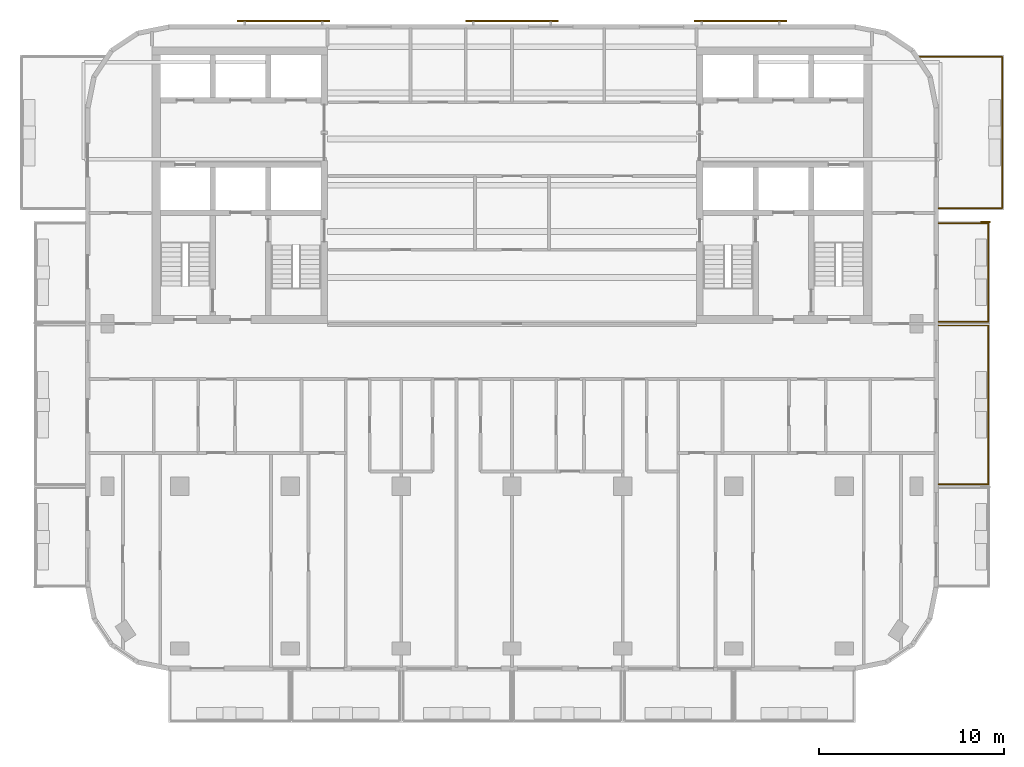
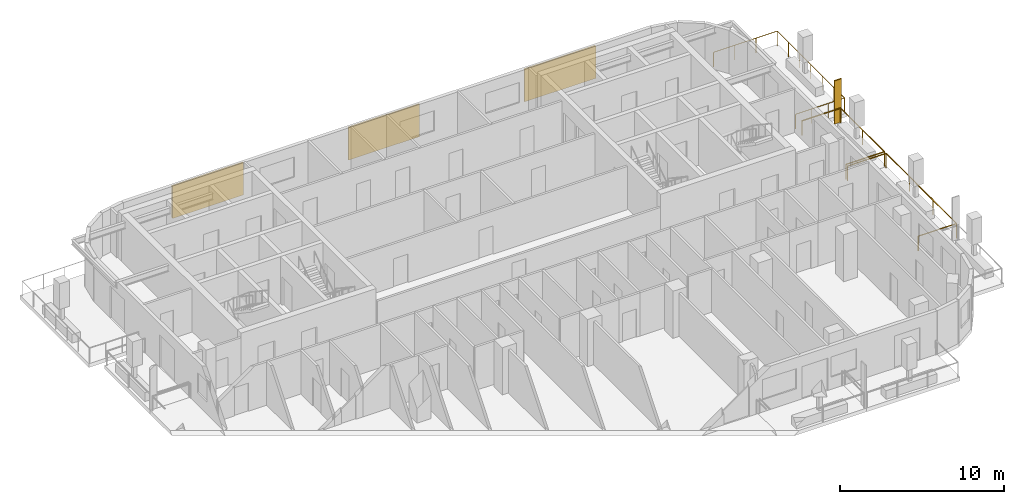
# One storey, part 10 of 11: 4 shading devices, 3 railings.
"""IFC4 building model written with IfcOpenShell, lengths in metres."""

from ifc_helpers import new_model, si_unit, direction, frame, origin, origin_2d, place, context, subcontext, project, spatial, rectangle, circle, extrude, material, layer, layer_set, type_object, element, save


model = new_model("IFC4")

# Units and contexts
model_context = context("Model", 3, precision=1e-05, world=origin(), true_north=direction((0.0, 1.0)))
body_context = subcontext(model_context, "Body", "Model", "MODEL_VIEW")
ifc_project = project(units=[si_unit("LENGTHUNIT", "METRE"), si_unit("AREAUNIT", "SQUARE_METRE"), si_unit("VOLUMEUNIT", "CUBIC_METRE"), si_unit("PLANEANGLEUNIT", "RADIAN"), si_unit("MASSUNIT", "GRAM", prefix="KILO")], contexts=[model_context])

# Site, building, storey
site_placement = place(None, origin())
site = spatial("IfcSite", under=ifc_project, at=site_placement, CompositionType="ELEMENT")
building_placement = place(site_placement, origin())
building = spatial("IfcBuilding", under=site, at=building_placement, Name="Torana Hotel and Residences", CompositionType="ELEMENT")
storey_placement = place(building_placement, frame((0.0, 0.0, 263.10009765625)))
storey = spatial("IfcBuildingStorey", under=building, at=storey_placement, Name="L69", CompositionType="ELEMENT", Elevation=263.10009765625)

# Shading device
ifc_material_1 = material(Name="Black powder coated aluminium", Category="aluminium")
ifc_layer_1 = layer(ifc_material_1, 0.080078125)
ifc_layer_set_1 = layer_set([ifc_layer_1], Name="FN1 VERTICAL FIN 500x80")
shading_device_type_1 = type_object("IfcShadingDeviceType", Name="FN1 VERTICAL FIN 500x80", PredefinedType="USERDEFINED", material=ifc_layer_set_1)
shading_device_placement = place(storey_placement, frame((25.64990234375, -9.489990234375, 0.0), z_axis=(0.0, 0.0, 1.0), x_axis=(0.0, -1.0, 0.0)))
element("IfcShadingDevice", 1, at=shading_device_placement, inside=storey, type_object=shading_device_type_1, Name="Fin 13", ObjectType="FIN", PredefinedType="USERDEFINED", context=body_context, shape_type="SweptSolid", body=[
    extrude(rectangle(XDim=0.080078125, YDim=0.5, at=origin_2d()), origin(), (0.0, 0.0, 1.0), 3.219970703125),
])

# Railings
ifc_material_2 = material(Name="Laminated glass balustrade with black handrail", Category="glass")
railing_type = type_object("IfcRailingType", Name="GR1 BALCONY GUARD 1100 GLASS", PredefinedType="GUARDRAIL", material=ifc_material_2)
railing_1_placement = place(storey_placement, frame((23.10009765625, -15.10009765625, 0.0)))
element("IfcRailing", 2, at=railing_1_placement, inside=storey, type_object=railing_type, Name="Balcony guard 12", PredefinedType="GUARDRAIL", context=body_context, shape_type="SweptSolid", body=[
    extrude(circle(Radius=0.02392578125, at=origin_2d()), frame((0.0, 0.0, 1.076171875), z_axis=(1.0, 0.0, 0.0), x_axis=(0.0, 1.0, 0.0)), (0.0, 0.0, 1.0), 2.699951171875),
    extrude(circle(Radius=0.02392578125, at=origin_2d()), frame((2.699951171875, 0.0, 1.076171875), z_axis=(0.0, -1.0, 0.0), x_axis=(1.0, 0.0, 0.0)), (0.0, 0.0, 1.0), 8.599853515625),
    extrude(circle(Radius=0.02392578125, at=origin_2d()), frame((2.699951171875, -8.599853515625, 1.076171875), z_axis=(-1.0, 0.0, 0.0), x_axis=(0.0, -1.0, 0.0)), (0.0, 0.0, 1.0), 2.699951171875),
    extrude(circle(Radius=0.02099609375, at=origin_2d()), origin(), (0.0, 0.0, 1.0), 1.052001953125),
    extrude(circle(Radius=0.02099609375, at=origin_2d()), frame((2.699951171875, 0.0, 0.0)), (0.0, 0.0, 1.0), 1.052001953125),
    extrude(circle(Radius=0.02099609375, at=origin_2d()), frame((2.699951171875, -2.86669921875, 0.0)), (0.0, 0.0, 1.0), 1.052001953125),
    extrude(circle(Radius=0.02099609375, at=origin_2d()), frame((2.699951171875, -5.733154296875, 0.0)), (0.0, 0.0, 1.0), 1.052001953125),
    extrude(circle(Radius=0.02099609375, at=origin_2d()), frame((2.699951171875, -8.599853515625, 0.0)), (0.0, 0.0, 1.0), 1.052001953125),
    extrude(circle(Radius=0.02099609375, at=origin_2d()), frame((0.0, -8.599853515625, 0.0)), (0.0, 0.0, 1.0), 1.052001953125),
])
railing_2_placement = place(storey_placement, frame((23.10009765625, -9.550048828125, 0.0)))
element("IfcRailing", 3, at=railing_2_placement, inside=storey, type_object=railing_type, Name="Balcony guard 13", PredefinedType="GUARDRAIL", context=body_context, shape_type="SweptSolid", body=[
    extrude(circle(Radius=0.02392578125, at=origin_2d()), frame((0.0, 0.0, 1.076171875), z_axis=(1.0, 0.0, 0.0), x_axis=(0.0, 1.0, 0.0)), (0.0, 0.0, 1.0), 2.699951171875),
    extrude(circle(Radius=0.02392578125, at=origin_2d()), frame((2.699951171875, 0.0, 1.076171875), z_axis=(0.0, -1.0, 0.0), x_axis=(1.0, 0.0, 0.0)), (0.0, 0.0, 1.0), 5.349853515625),
    extrude(circle(Radius=0.02392578125, at=origin_2d()), frame((2.699951171875, -5.349853515625, 1.076171875), z_axis=(-1.0, 0.0, 0.0), x_axis=(0.0, -1.0, 0.0)), (0.0, 0.0, 1.0), 2.699951171875),
    extrude(circle(Radius=0.02099609375, at=origin_2d()), origin(), (0.0, 0.0, 1.0), 1.052001953125),
    extrude(circle(Radius=0.02099609375, at=origin_2d()), frame((2.699951171875, 0.0, 0.0)), (0.0, 0.0, 1.0), 1.052001953125),
    extrude(circle(Radius=0.02099609375, at=origin_2d()), frame((2.699951171875, -2.6748046875, 0.0)), (0.0, 0.0, 1.0), 1.052001953125),
    extrude(circle(Radius=0.02099609375, at=origin_2d()), frame((2.699951171875, -5.349853515625, 0.0)), (0.0, 0.0, 1.0), 1.052001953125),
    extrude(circle(Radius=0.02099609375, at=origin_2d()), frame((0.0, -5.349853515625, 0.0)), (0.0, 0.0, 1.0), 1.052001953125),
])
railing_3_placement = place(storey_placement, frame((22.07080078125, -0.550048828125, 0.0)))
element("IfcRailing", 4, at=railing_3_placement, inside=storey, type_object=railing_type, Name="Balcony guard 14", PredefinedType="GUARDRAIL", context=body_context, shape_type="SweptSolid", body=[
    extrude(circle(Radius=0.02392578125, at=origin_2d()), frame((0.0, 0.0, 1.076171875), z_axis=(1.0, 0.0, 0.0), x_axis=(0.0, 1.0, 0.0)), (0.0, 0.0, 1.0), 4.479248046875),
    extrude(circle(Radius=0.02392578125, at=origin_2d()), frame((4.479248046875, 0.0, 1.076171875), z_axis=(0.0, -1.0, 0.0), x_axis=(1.0, 0.0, 0.0)), (0.0, 0.0, 1.0), 8.199951171875),
    extrude(circle(Radius=0.02392578125, at=origin_2d()), frame((4.479248046875, -8.199951171875, 1.076171875), z_axis=(-1.0, 0.0, 0.0), x_axis=(0.0, -1.0, 0.0)), (0.0, 0.0, 1.0), 3.449951171875),
    extrude(circle(Radius=0.02099609375, at=origin_2d()), origin(), (0.0, 0.0, 1.0), 1.052001953125),
    extrude(circle(Radius=0.02099609375, at=origin_2d()), frame((1.4931640625, 0.0, 0.0)), (0.0, 0.0, 1.0), 1.052001953125),
    extrude(circle(Radius=0.02099609375, at=origin_2d()), frame((2.986083984375, 0.0, 0.0)), (0.0, 0.0, 1.0), 1.052001953125),
    extrude(circle(Radius=0.02099609375, at=origin_2d()), frame((4.479248046875, 0.0, 0.0)), (0.0, 0.0, 1.0), 1.052001953125),
    extrude(circle(Radius=0.02099609375, at=origin_2d()), frame((4.479248046875, -1.36669921875, 0.0)), (0.0, 0.0, 1.0), 1.052001953125),
    extrude(circle(Radius=0.02099609375, at=origin_2d()), frame((4.479248046875, -2.7333984375, 0.0)), (0.0, 0.0, 1.0), 1.052001953125),
    extrude(circle(Radius=0.02099609375, at=origin_2d()), frame((4.479248046875, -4.10009765625, 0.0)), (0.0, 0.0, 1.0), 1.052001953125),
    extrude(circle(Radius=0.02099609375, at=origin_2d()), frame((4.479248046875, -5.466552734375, 0.0)), (0.0, 0.0, 1.0), 1.052001953125),
    extrude(circle(Radius=0.02099609375, at=origin_2d()), frame((4.479248046875, -6.833251953125, 0.0)), (0.0, 0.0, 1.0), 1.052001953125),
    extrude(circle(Radius=0.02099609375, at=origin_2d()), frame((4.479248046875, -8.199951171875, 0.0)), (0.0, 0.0, 1.0), 1.052001953125),
    extrude(circle(Radius=0.02099609375, at=origin_2d()), frame((3.329345703125, -8.199951171875, 0.0)), (0.0, 0.0, 1.0), 1.052001953125),
    extrude(circle(Radius=0.02099609375, at=origin_2d()), frame((2.17919921875, -8.199951171875, 0.0)), (0.0, 0.0, 1.0), 1.052001953125),
    extrude(circle(Radius=0.02099609375, at=origin_2d()), frame((1.029296875, -8.199951171875, 0.0)), (0.0, 0.0, 1.0), 1.052001953125),
])

# Shading devices
ifc_material_3 = material(Name="Concrete C40/50 precast", Category="concrete")
ifc_layer_2 = layer(ifc_material_3, 0.10009765625)
ifc_layer_set_2 = layer_set([ifc_layer_2], Name="SC1 PERFORATED BLOCK SCREEN PANEL 100")
shading_device_type_2 = type_object("IfcShadingDeviceType", Name="SC1 PERFORATED BLOCK SCREEN PANEL 100", PredefinedType="USERDEFINED", material=ifc_layer_set_2)
for number, where, z_axis, x_axis, name in (
    (5, (12.383544921875, 1.39990234375, 0.5), (0.0, 0.0, 1.0), (-1.0, 0.0, 0.0), "Perforated block screen L69"),
    (6, (0.0, 1.39990234375, 0.5), (0.0, 0.0, 1.0), (-1.0, 0.0, 0.0), "Perforated block screen L69"),
    (7, (-12.383544921875, 1.39990234375, 0.5), (0.0, 0.0, 1.0), (-1.0, 0.0, 0.0), "Perforated block screen L69"),
):
    element("IfcShadingDevice", number, at=place(storey_placement, frame(where, z_axis=z_axis, x_axis=x_axis)), inside=storey, type_object=shading_device_type_2, Name=name, ObjectType="SCREEN", PredefinedType="USERDEFINED", context=body_context, shape_type="SweptSolid", body=[
        extrude(rectangle(XDim=5.0, YDim=0.10009765625, at=origin_2d()), origin(), (0.0, 0.0, 1.0), 2.419921875),
    ])

save(model, "model.ifc")
